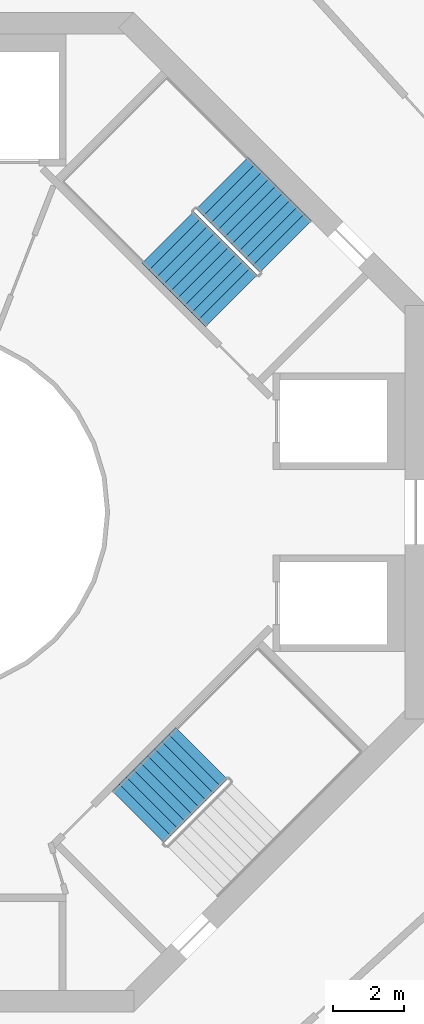
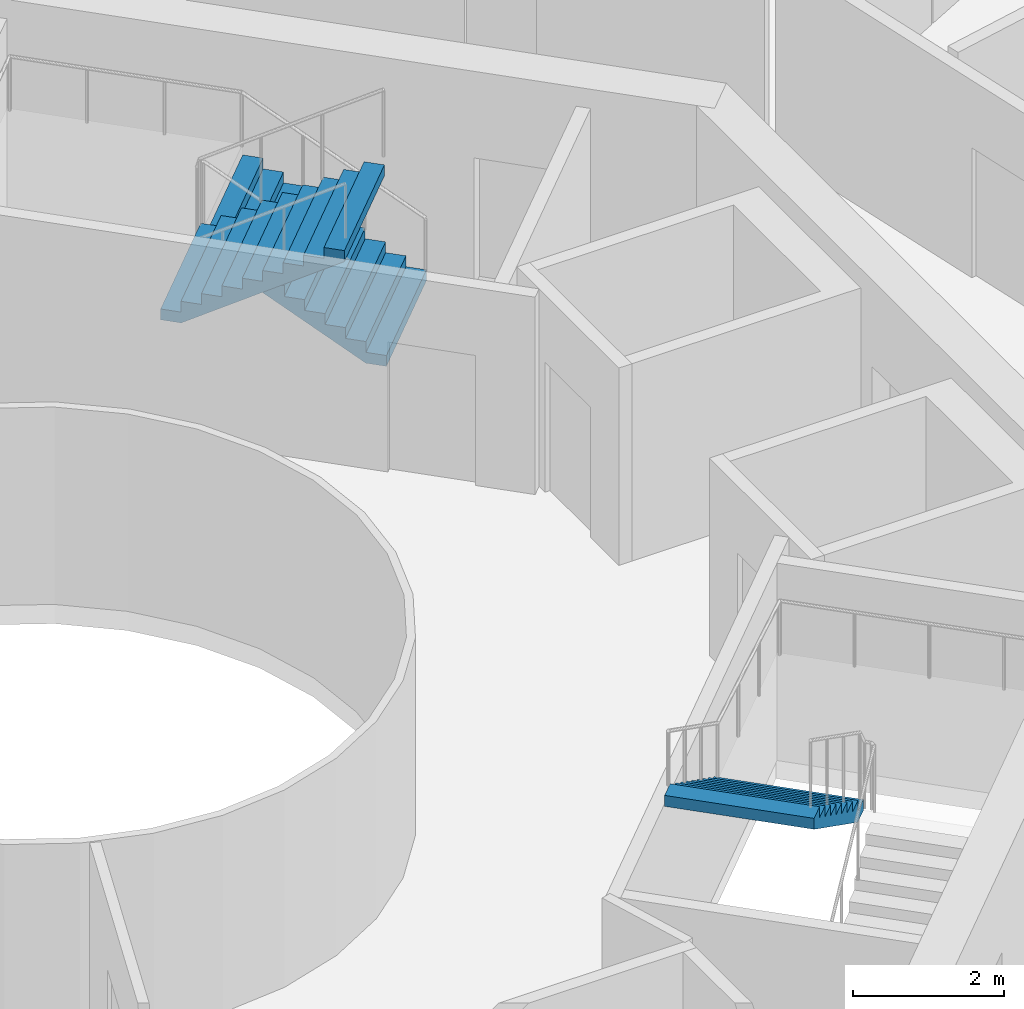
# One storey, part 22 of 23: 3 stair flights, 2 elements without a shape of their own.
"""IFC4 building model written with IfcOpenShell, lengths in metres."""

from ifc_helpers import new_model, si_unit, direction, frame, origin, place, context, subcontext, project, spatial, triangles, material, type_object, element, aggregate, save


model = new_model("IFC4")

# Units and contexts
model_context = context("Model", 3, precision=1e-05, world=origin(), true_north=direction((0.0, 1.0)))
body_context = subcontext(model_context, "Body", "Model", "MODEL_VIEW")
ifc_project = project(units=[si_unit("LENGTHUNIT", "METRE"), si_unit("AREAUNIT", "SQUARE_METRE"), si_unit("VOLUMEUNIT", "CUBIC_METRE"), si_unit("PLANEANGLEUNIT", "RADIAN"), si_unit("MASSUNIT", "GRAM", prefix="KILO")], contexts=[model_context])

# Site, building, storey
site_placement = place(None, origin())
site = spatial("IfcSite", under=ifc_project, at=site_placement, CompositionType="ELEMENT")
building_placement = place(site_placement, origin())
building = spatial("IfcBuilding", under=site, at=building_placement, Name="Verdalira Terraces Hotel", CompositionType="ELEMENT")
storey_placement = place(building_placement, frame((0.0, 0.0, 205.5)))
storey = spatial("IfcBuildingStorey", under=building, at=storey_placement, Name="L50", CompositionType="ELEMENT", Elevation=205.5)

# Stair, stair flights
ifc_material_1 = material(Name="Concrete C40", Category="concrete")
stair_type = type_object("IfcStairType", Name="Core stair 20 risers 2050 mm wide", PredefinedType="HALF_TURN_STAIR", material=ifc_material_1)
stair_1_placement = place(storey_placement, origin())
stair_1 = element("IfcStair", 1, at=stair_1_placement, inside=storey, type_object=stair_type, Name="L50 Exit stair ST1", PredefinedType="HALF_TURN_STAIR")
ifc_material_2 = material(Name="Concrete C40", Category="concrete")
stair_flight_type = type_object("IfcStairFlightType", Name="Core stair flight 20 risers 2050 mm wide", PredefinedType="STRAIGHT", material=ifc_material_2)
stair_flight_1_placement = place(storey_placement, frame((10.058594, 7.442383, 0.0), z_axis=(0.0, 0.0, 1.0), x_axis=(-0.707106781, 0.707106781, 0.0)))
stair_flight_1 = element("IfcStairFlight", 2, at=stair_flight_1_placement, type_object=stair_flight_type, Name="ST1 flight 1", NumberOfRisers=10, NumberOfTreads=9, PredefinedType="STRAIGHT", RiserHeight=0.175, TreadLength=0.28, context=body_context, shape_type="Tessellation", body=[
    triangles([(0.0, 1.025024, 0.0), (0.282715, 1.025024, 0.0), (2.52002, 1.025024, 1.398193), (0.0, -1.025024, 0.0), (0.282715, -1.025024, 0.0), (2.52002, -1.025024, 1.398193), (2.52002, 1.025024, 1.574951), (2.23999, 1.025024, 1.574951), (2.52002, -1.025024, 1.574951), (2.23999, -1.025024, 1.574951), (2.23999, 1.025024, 1.399902), (2.23999, -1.025024, 1.399902), (1.959961, 1.025024, 1.399902), (1.959961, -1.025024, 1.399902), (1.959961, 1.025024, 1.225098), (1.959961, -1.025024, 1.225098), (1.679932, 1.025024, 1.225098), (1.679932, 1.025024, 1.050049), (1.679932, -1.025024, 1.225098), (1.679932, -1.025024, 1.050049), (1.399902, 1.025024, 1.050049), (1.399902, 1.025024, 0.875), (1.399902, -1.025024, 1.050049), (1.399902, -1.025024, 0.875), (1.120117, 1.025024, 0.875), (1.120117, 1.025024, 0.699951), (1.120117, -1.025024, 0.875), (1.120117, -1.025024, 0.699951), (0.840088, 1.025024, 0.699951), (0.840088, 1.025024, 0.524902), (0.840088, -1.025024, 0.699951), (0.840088, -1.025024, 0.524902), (0.560059, 1.025024, 0.524902), (0.560059, 1.025024, 0.350098), (0.560059, -1.025024, 0.524902), (0.560059, -1.025024, 0.350098), (0.280029, 1.025024, 0.350098), (0.280029, 1.025024, 0.175049), (0.280029, -1.025024, 0.350098), (0.280029, -1.025024, 0.175049), (0.0, 1.025024, 0.175049), (0.0, -1.025024, 0.175049), (0.0, -0.96096, 0.0), (0.0, -0.96096, 0.175049), (0.0, -0.896896, 0.0), (0.0, -0.896896, 0.175049), (0.0, -0.832832, 0.0), (0.0, -0.832832, 0.175049), (0.0, -0.768768, 0.0), (0.0, -0.768768, 0.175049), (0.0, -0.704704, 0.0), (0.0, -0.704704, 0.175049), (0.0, -0.64064, 0.0), (0.0, -0.64064, 0.175049), (0.0, -0.576576, 0.0), (0.0, -0.576576, 0.175049), (0.0, -0.512512, 0.0), (0.0, -0.512512, 0.175049), (0.0, -0.448448, 0.0), (0.0, -0.448448, 0.175049), (0.0, -0.384384, 0.0), (0.0, -0.384384, 0.175049), (0.0, -0.32032, 0.0), (0.0, -0.32032, 0.175049), (0.0, -0.256256, 0.0), (0.0, -0.256256, 0.175049), (0.0, -0.192192, 0.0), (0.0, -0.192192, 0.175049), (0.0, -0.128128, 0.0), (0.0, -0.128128, 0.175049), (0.0, -0.064064, 0.0), (0.0, -0.064064, 0.175049), (0.0, 0.0, 0.0), (0.0, 0.0, 0.175049), (0.0, 0.064064, 0.0), (0.0, 0.064064, 0.175049), (0.0, 0.128128, 0.0), (0.0, 0.128128, 0.175049), (0.0, 0.192192, 0.0), (0.0, 0.192192, 0.175049), (0.0, 0.256256, 0.0), (0.0, 0.256256, 0.175049), (0.0, 0.32032, 0.0), (0.0, 0.32032, 0.175049), (0.0, 0.384384, 0.0), (0.0, 0.384384, 0.175049), (0.0, 0.448448, 0.0), (0.0, 0.448448, 0.175049), (0.0, 0.512512, 0.0), (0.0, 0.512512, 0.175049), (0.0, 0.576576, 0.0), (0.0, 0.576576, 0.175049), (0.0, 0.64064, 0.0), (0.0, 0.64064, 0.175049), (0.0, 0.704704, 0.0), (0.0, 0.704704, 0.175049), (0.0, 0.768768, 0.0), (0.0, 0.768768, 0.175049), (0.0, 0.832832, 0.0), (0.0, 0.832832, 0.175049), (0.0, 0.896896, 0.0), (0.0, 0.896896, 0.175049), (0.0, 0.96096, 0.0), (0.0, 0.96096, 0.175049), (2.52002, -0.96096, 1.574951), (2.52002, -0.896896, 1.574951), (2.52002, -0.832832, 1.574951), (2.52002, -0.768768, 1.574951), (2.52002, -0.704704, 1.574951), (2.52002, -0.64064, 1.574951), (2.52002, -0.576576, 1.574951), (2.52002, -0.512512, 1.574951), (2.52002, -0.448448, 1.574951), (2.52002, -0.384384, 1.574951), (2.52002, -0.32032, 1.574951), (2.52002, -0.256256, 1.574951), (2.52002, -0.192192, 1.574951), (2.52002, -0.128128, 1.574951), (2.52002, -0.064064, 1.574951), (2.52002, 0.0, 1.574951), (2.52002, 0.064064, 1.574951), (2.52002, 0.128128, 1.574951), (2.52002, 0.192192, 1.574951), (2.52002, 0.256256, 1.574951), (2.52002, 0.32032, 1.574951), (2.52002, 0.384384, 1.574951), (2.52002, 0.448448, 1.574951), (2.52002, 0.512512, 1.574951), (2.52002, 0.576576, 1.574951), (2.52002, 0.64064, 1.574951), (2.52002, 0.704704, 1.574951), (2.52002, 0.768768, 1.574951), (2.52002, 0.832832, 1.574951), (2.52002, 0.896896, 1.574951), (2.52002, 0.96096, 1.574951), (2.52002, -0.96096, 1.398193), (2.52002, -0.896896, 1.398193), (2.52002, -0.832832, 1.398193), (2.52002, -0.768768, 1.398193), (2.52002, -0.704704, 1.398193), (2.52002, -0.64064, 1.398193), (2.52002, -0.576576, 1.398193), (2.52002, -0.512512, 1.398193), (2.52002, -0.448448, 1.398193), (2.52002, -0.384384, 1.398193), (2.52002, -0.32032, 1.398193), (2.52002, -0.256256, 1.398193), (2.52002, -0.192192, 1.398193), (2.52002, -0.128128, 1.398193), (2.52002, -0.064064, 1.398193), (2.52002, 0.0, 1.398193), (2.52002, 0.064064, 1.398193), (2.52002, 0.128128, 1.398193), (2.52002, 0.192192, 1.398193), (2.52002, 0.256256, 1.398193), (2.52002, 0.32032, 1.398193), (2.52002, 0.384384, 1.398193), (2.52002, 0.448448, 1.398193), (2.52002, 0.512512, 1.398193), (2.52002, 0.576576, 1.398193), (2.52002, 0.64064, 1.398193), (2.52002, 0.704704, 1.398193), (2.52002, 0.768768, 1.398193), (2.52002, 0.832832, 1.398193), (2.52002, 0.896896, 1.398193), (2.52002, 0.96096, 1.398193)], [[1, 3, 2], [4, 5, 6], [3, 8, 7], [6, 9, 10], [3, 11, 8], [6, 10, 12], [3, 13, 11], [6, 12, 14], [3, 15, 13], [6, 14, 16], [15, 18, 17], [16, 19, 20], [3, 18, 15], [6, 16, 20], [18, 22, 21], [20, 23, 24], [3, 22, 18], [6, 20, 24], [22, 26, 25], [24, 27, 28], [3, 26, 22], [6, 24, 28], [26, 30, 29], [28, 31, 32], [3, 30, 26], [6, 28, 32], [1, 30, 3], [4, 6, 32], [30, 34, 33], [32, 35, 36], [34, 38, 37], [36, 39, 40], [30, 38, 34], [32, 36, 40], [1, 38, 30], [4, 32, 40], [38, 1, 41], [40, 42, 4], [4, 44, 43], [4, 42, 44], [43, 46, 45], [43, 44, 46], [45, 48, 47], [45, 46, 48], [47, 50, 49], [47, 48, 50], [49, 52, 51], [49, 50, 52], [51, 54, 53], [51, 52, 54], [53, 56, 55], [53, 54, 56], [55, 58, 57], [55, 56, 58], [57, 60, 59], [57, 58, 60], [59, 62, 61], [59, 60, 62], [61, 64, 63], [61, 62, 64], [63, 66, 65], [63, 64, 66], [65, 68, 67], [65, 66, 68], [67, 70, 69], [67, 68, 70], [69, 72, 71], [69, 70, 72], [71, 74, 73], [71, 72, 74], [73, 76, 75], [73, 74, 76], [75, 78, 77], [75, 76, 78], [77, 80, 79], [77, 78, 80], [79, 82, 81], [79, 80, 82], [81, 84, 83], [81, 82, 84], [83, 86, 85], [83, 84, 86], [85, 88, 87], [85, 86, 88], [87, 90, 89], [87, 88, 90], [89, 92, 91], [89, 90, 92], [91, 94, 93], [91, 92, 94], [93, 96, 95], [93, 94, 96], [95, 98, 97], [95, 96, 98], [97, 100, 99], [97, 98, 100], [99, 102, 101], [99, 100, 102], [101, 104, 103], [101, 102, 104], [103, 41, 1], [103, 104, 41], [42, 40, 44], [44, 40, 46], [46, 40, 48], [48, 40, 50], [50, 40, 52], [52, 40, 54], [54, 40, 56], [56, 40, 58], [58, 40, 60], [60, 40, 62], [62, 40, 64], [64, 40, 66], [66, 40, 68], [68, 40, 70], [70, 40, 72], [72, 40, 74], [74, 40, 76], [76, 40, 78], [78, 40, 80], [80, 40, 82], [82, 40, 84], [84, 40, 86], [86, 40, 88], [88, 40, 90], [90, 40, 92], [92, 40, 94], [94, 40, 96], [96, 40, 98], [98, 40, 100], [100, 40, 102], [102, 40, 104], [104, 40, 41], [41, 40, 38], [40, 37, 38], [40, 39, 37], [39, 34, 37], [39, 36, 34], [36, 33, 34], [36, 35, 33], [35, 30, 33], [35, 32, 30], [32, 29, 30], [32, 31, 29], [31, 26, 29], [31, 28, 26], [28, 25, 26], [28, 27, 25], [27, 22, 25], [27, 24, 22], [24, 21, 22], [24, 23, 21], [23, 18, 21], [23, 20, 18], [20, 17, 18], [20, 19, 17], [19, 15, 17], [19, 16, 15], [16, 13, 15], [16, 14, 13], [14, 11, 13], [14, 12, 11], [12, 8, 11], [12, 10, 8], [9, 105, 10], [105, 106, 10], [106, 107, 10], [107, 108, 10], [108, 109, 10], [109, 110, 10], [110, 111, 10], [111, 112, 10], [112, 113, 10], [113, 114, 10], [114, 115, 10], [115, 116, 10], [116, 117, 10], [117, 118, 10], [118, 119, 10], [119, 120, 10], [120, 121, 10], [121, 122, 10], [122, 123, 10], [123, 124, 10], [124, 125, 10], [125, 126, 10], [126, 127, 10], [127, 128, 10], [128, 129, 10], [129, 130, 10], [130, 131, 10], [131, 132, 10], [132, 133, 10], [133, 134, 10], [134, 135, 10], [135, 7, 10], [7, 8, 10], [9, 136, 105], [9, 6, 136], [105, 137, 106], [105, 136, 137], [106, 138, 107], [106, 137, 138], [107, 139, 108], [107, 138, 139], [108, 140, 109], [108, 139, 140], [109, 141, 110], [109, 140, 141], [110, 142, 111], [110, 141, 142], [111, 143, 112], [111, 142, 143], [112, 144, 113], [112, 143, 144], [113, 145, 114], [113, 144, 145], [114, 146, 115], [114, 145, 146], [115, 147, 116], [115, 146, 147], [116, 148, 117], [116, 147, 148], [117, 149, 118], [117, 148, 149], [118, 150, 119], [118, 149, 150], [119, 151, 120], [119, 150, 151], [120, 152, 121], [120, 151, 152], [121, 153, 122], [121, 152, 153], [122, 154, 123], [122, 153, 154], [123, 155, 124], [123, 154, 155], [124, 156, 125], [124, 155, 156], [125, 157, 126], [125, 156, 157], [126, 158, 127], [126, 157, 158], [127, 159, 128], [127, 158, 159], [128, 160, 129], [128, 159, 160], [129, 161, 130], [129, 160, 161], [130, 162, 131], [130, 161, 162], [131, 163, 132], [131, 162, 163], [132, 164, 133], [132, 163, 164], [133, 165, 134], [133, 164, 165], [134, 166, 135], [134, 165, 166], [135, 3, 7], [135, 166, 3], [6, 5, 136], [136, 5, 137], [137, 5, 138], [138, 5, 139], [139, 5, 140], [140, 5, 141], [141, 5, 142], [142, 5, 143], [143, 5, 144], [144, 5, 145], [145, 5, 146], [146, 5, 147], [147, 5, 148], [148, 5, 149], [149, 5, 150], [150, 5, 151], [151, 5, 152], [152, 5, 153], [153, 5, 154], [154, 5, 155], [155, 5, 156], [156, 5, 157], [157, 5, 158], [158, 5, 159], [159, 5, 160], [160, 5, 161], [161, 5, 162], [162, 5, 163], [163, 5, 164], [164, 5, 165], [165, 5, 166], [166, 5, 3], [3, 5, 2], [4, 43, 5], [43, 45, 5], [45, 47, 5], [47, 49, 5], [49, 51, 5], [51, 53, 5], [53, 55, 5], [55, 57, 5], [57, 59, 5], [59, 61, 5], [61, 63, 5], [63, 65, 5], [65, 67, 5], [67, 69, 5], [69, 71, 5], [71, 73, 5], [73, 75, 5], [75, 77, 5], [77, 79, 5], [79, 81, 5], [81, 83, 5], [83, 85, 5], [85, 87, 5], [87, 89, 5], [89, 91, 5], [91, 93, 5], [93, 95, 5], [95, 97, 5], [97, 99, 5], [99, 101, 5], [101, 103, 5], [103, 1, 5], [1, 2, 5]], closed=True),
])
stair_flight_2_placement = place(storey_placement, frame((6.756348, 7.703857, 1.75), z_axis=(0.0, 0.0, 1.0), x_axis=(0.707106781, -0.707106781, 0.0)))
stair_flight_2 = element("IfcStairFlight", 3, at=stair_flight_2_placement, type_object=stair_flight_type, Name="ST1 flight 2", NumberOfRisers=10, NumberOfTreads=9, PredefinedType="STRAIGHT", RiserHeight=0.175, TreadLength=0.28, context=body_context, shape_type="Tessellation", body=[
    triangles([(0.0, 1.025024, 0.0), (0.282715, 1.025024, 0.0), (2.52002, 1.025024, 1.398193), (0.0, -1.025024, 0.0), (0.282715, -1.025024, 0.0), (2.52002, -1.025024, 1.398193), (2.52002, 1.025024, 1.574951), (2.23999, 1.025024, 1.574951), (2.52002, -1.025024, 1.574951), (2.23999, -1.025024, 1.574951), (2.23999, 1.025024, 1.399902), (2.23999, -1.025024, 1.399902), (1.959961, 1.025024, 1.399902), (1.959961, -1.025024, 1.399902), (1.959961, 1.025024, 1.225098), (1.959961, -1.025024, 1.225098), (1.679932, 1.025024, 1.225098), (1.679932, 1.025024, 1.050049), (1.679932, -1.025024, 1.225098), (1.679932, -1.025024, 1.050049), (1.399902, 1.025024, 1.050049), (1.399902, 1.025024, 0.875), (1.399902, -1.025024, 1.050049), (1.399902, -1.025024, 0.875), (1.120117, 1.025024, 0.875), (1.120117, 1.025024, 0.699951), (1.120117, -1.025024, 0.875), (1.120117, -1.025024, 0.699951), (0.840088, 1.025024, 0.699951), (0.840088, 1.025024, 0.524902), (0.840088, -1.025024, 0.699951), (0.840088, -1.025024, 0.524902), (0.560059, 1.025024, 0.524902), (0.560059, 1.025024, 0.350098), (0.560059, -1.025024, 0.524902), (0.560059, -1.025024, 0.350098), (0.280029, 1.025024, 0.350098), (0.280029, 1.025024, 0.175049), (0.280029, -1.025024, 0.350098), (0.280029, -1.025024, 0.175049), (0.0, 1.025024, 0.175049), (0.0, -1.025024, 0.175049), (0.0, -0.96096, 0.0), (0.0, -0.96096, 0.175049), (0.0, -0.896896, 0.0), (0.0, -0.896896, 0.175049), (0.0, -0.832832, 0.0), (0.0, -0.832832, 0.175049), (0.0, -0.768768, 0.0), (0.0, -0.768768, 0.175049), (0.0, -0.704704, 0.0), (0.0, -0.704704, 0.175049), (0.0, -0.64064, 0.0), (0.0, -0.64064, 0.175049), (0.0, -0.576576, 0.0), (0.0, -0.576576, 0.175049), (0.0, -0.512512, 0.0), (0.0, -0.512512, 0.175049), (0.0, -0.448448, 0.0), (0.0, -0.448448, 0.175049), (0.0, -0.384384, 0.0), (0.0, -0.384384, 0.175049), (0.0, -0.32032, 0.0), (0.0, -0.32032, 0.175049), (0.0, -0.256256, 0.0), (0.0, -0.256256, 0.175049), (0.0, -0.192192, 0.0), (0.0, -0.192192, 0.175049), (0.0, -0.128128, 0.0), (0.0, -0.128128, 0.175049), (0.0, -0.064064, 0.0), (0.0, -0.064064, 0.175049), (0.0, 0.0, 0.0), (0.0, 0.0, 0.175049), (0.0, 0.064064, 0.0), (0.0, 0.064064, 0.175049), (0.0, 0.128128, 0.0), (0.0, 0.128128, 0.175049), (0.0, 0.192192, 0.0), (0.0, 0.192192, 0.175049), (0.0, 0.256256, 0.0), (0.0, 0.256256, 0.175049), (0.0, 0.32032, 0.0), (0.0, 0.32032, 0.175049), (0.0, 0.384384, 0.0), (0.0, 0.384384, 0.175049), (0.0, 0.448448, 0.0), (0.0, 0.448448, 0.175049), (0.0, 0.512512, 0.0), (0.0, 0.512512, 0.175049), (0.0, 0.576576, 0.0), (0.0, 0.576576, 0.175049), (0.0, 0.64064, 0.0), (0.0, 0.64064, 0.175049), (0.0, 0.704704, 0.0), (0.0, 0.704704, 0.175049), (0.0, 0.768768, 0.0), (0.0, 0.768768, 0.175049), (0.0, 0.832832, 0.0), (0.0, 0.832832, 0.175049), (0.0, 0.896896, 0.0), (0.0, 0.896896, 0.175049), (0.0, 0.96096, 0.0), (0.0, 0.96096, 0.175049), (2.52002, -0.96096, 1.574951), (2.52002, -0.896896, 1.574951), (2.52002, -0.832832, 1.574951), (2.52002, -0.768768, 1.574951), (2.52002, -0.704704, 1.574951), (2.52002, -0.64064, 1.574951), (2.52002, -0.576576, 1.574951), (2.52002, -0.512512, 1.574951), (2.52002, -0.448448, 1.574951), (2.52002, -0.384384, 1.574951), (2.52002, -0.32032, 1.574951), (2.52002, -0.256256, 1.574951), (2.52002, -0.192192, 1.574951), (2.52002, -0.128128, 1.574951), (2.52002, -0.064064, 1.574951), (2.52002, 0.0, 1.574951), (2.52002, 0.064064, 1.574951), (2.52002, 0.128128, 1.574951), (2.52002, 0.192192, 1.574951), (2.52002, 0.256256, 1.574951), (2.52002, 0.32032, 1.574951), (2.52002, 0.384384, 1.574951), (2.52002, 0.448448, 1.574951), (2.52002, 0.512512, 1.574951), (2.52002, 0.576576, 1.574951), (2.52002, 0.64064, 1.574951), (2.52002, 0.704704, 1.574951), (2.52002, 0.768768, 1.574951), (2.52002, 0.832832, 1.574951), (2.52002, 0.896896, 1.574951), (2.52002, 0.96096, 1.574951), (2.52002, -0.96096, 1.398193), (2.52002, -0.896896, 1.398193), (2.52002, -0.832832, 1.398193), (2.52002, -0.768768, 1.398193), (2.52002, -0.704704, 1.398193), (2.52002, -0.64064, 1.398193), (2.52002, -0.576576, 1.398193), (2.52002, -0.512512, 1.398193), (2.52002, -0.448448, 1.398193), (2.52002, -0.384384, 1.398193), (2.52002, -0.32032, 1.398193), (2.52002, -0.256256, 1.398193), (2.52002, -0.192192, 1.398193), (2.52002, -0.128128, 1.398193), (2.52002, -0.064064, 1.398193), (2.52002, 0.0, 1.398193), (2.52002, 0.064064, 1.398193), (2.52002, 0.128128, 1.398193), (2.52002, 0.192192, 1.398193), (2.52002, 0.256256, 1.398193), (2.52002, 0.32032, 1.398193), (2.52002, 0.384384, 1.398193), (2.52002, 0.448448, 1.398193), (2.52002, 0.512512, 1.398193), (2.52002, 0.576576, 1.398193), (2.52002, 0.64064, 1.398193), (2.52002, 0.704704, 1.398193), (2.52002, 0.768768, 1.398193), (2.52002, 0.832832, 1.398193), (2.52002, 0.896896, 1.398193), (2.52002, 0.96096, 1.398193)], [[1, 3, 2], [4, 5, 6], [3, 8, 7], [6, 9, 10], [3, 11, 8], [6, 10, 12], [3, 13, 11], [6, 12, 14], [3, 15, 13], [6, 14, 16], [15, 18, 17], [16, 19, 20], [3, 18, 15], [6, 16, 20], [18, 22, 21], [20, 23, 24], [3, 22, 18], [6, 20, 24], [22, 26, 25], [24, 27, 28], [3, 26, 22], [6, 24, 28], [26, 30, 29], [28, 31, 32], [3, 30, 26], [6, 28, 32], [1, 30, 3], [4, 6, 32], [30, 34, 33], [32, 35, 36], [34, 38, 37], [36, 39, 40], [30, 38, 34], [32, 36, 40], [1, 38, 30], [4, 32, 40], [38, 1, 41], [40, 42, 4], [4, 44, 43], [4, 42, 44], [43, 46, 45], [43, 44, 46], [45, 48, 47], [45, 46, 48], [47, 50, 49], [47, 48, 50], [49, 52, 51], [49, 50, 52], [51, 54, 53], [51, 52, 54], [53, 56, 55], [53, 54, 56], [55, 58, 57], [55, 56, 58], [57, 60, 59], [57, 58, 60], [59, 62, 61], [59, 60, 62], [61, 64, 63], [61, 62, 64], [63, 66, 65], [63, 64, 66], [65, 68, 67], [65, 66, 68], [67, 70, 69], [67, 68, 70], [69, 72, 71], [69, 70, 72], [71, 74, 73], [71, 72, 74], [73, 76, 75], [73, 74, 76], [75, 78, 77], [75, 76, 78], [77, 80, 79], [77, 78, 80], [79, 82, 81], [79, 80, 82], [81, 84, 83], [81, 82, 84], [83, 86, 85], [83, 84, 86], [85, 88, 87], [85, 86, 88], [87, 90, 89], [87, 88, 90], [89, 92, 91], [89, 90, 92], [91, 94, 93], [91, 92, 94], [93, 96, 95], [93, 94, 96], [95, 98, 97], [95, 96, 98], [97, 100, 99], [97, 98, 100], [99, 102, 101], [99, 100, 102], [101, 104, 103], [101, 102, 104], [103, 41, 1], [103, 104, 41], [42, 40, 44], [44, 40, 46], [46, 40, 48], [48, 40, 50], [50, 40, 52], [52, 40, 54], [54, 40, 56], [56, 40, 58], [58, 40, 60], [60, 40, 62], [62, 40, 64], [64, 40, 66], [66, 40, 68], [68, 40, 70], [70, 40, 72], [72, 40, 74], [74, 40, 76], [76, 40, 78], [78, 40, 80], [80, 40, 82], [82, 40, 84], [84, 40, 86], [86, 40, 88], [88, 40, 90], [90, 40, 92], [92, 40, 94], [94, 40, 96], [96, 40, 98], [98, 40, 100], [100, 40, 102], [102, 40, 104], [104, 40, 41], [41, 40, 38], [40, 37, 38], [40, 39, 37], [39, 34, 37], [39, 36, 34], [36, 33, 34], [36, 35, 33], [35, 30, 33], [35, 32, 30], [32, 29, 30], [32, 31, 29], [31, 26, 29], [31, 28, 26], [28, 25, 26], [28, 27, 25], [27, 22, 25], [27, 24, 22], [24, 21, 22], [24, 23, 21], [23, 18, 21], [23, 20, 18], [20, 17, 18], [20, 19, 17], [19, 15, 17], [19, 16, 15], [16, 13, 15], [16, 14, 13], [14, 11, 13], [14, 12, 11], [12, 8, 11], [12, 10, 8], [9, 105, 10], [105, 106, 10], [106, 107, 10], [107, 108, 10], [108, 109, 10], [109, 110, 10], [110, 111, 10], [111, 112, 10], [112, 113, 10], [113, 114, 10], [114, 115, 10], [115, 116, 10], [116, 117, 10], [117, 118, 10], [118, 119, 10], [119, 120, 10], [120, 121, 10], [121, 122, 10], [122, 123, 10], [123, 124, 10], [124, 125, 10], [125, 126, 10], [126, 127, 10], [127, 128, 10], [128, 129, 10], [129, 130, 10], [130, 131, 10], [131, 132, 10], [132, 133, 10], [133, 134, 10], [134, 135, 10], [135, 7, 10], [7, 8, 10], [9, 136, 105], [9, 6, 136], [105, 137, 106], [105, 136, 137], [106, 138, 107], [106, 137, 138], [107, 139, 108], [107, 138, 139], [108, 140, 109], [108, 139, 140], [109, 141, 110], [109, 140, 141], [110, 142, 111], [110, 141, 142], [111, 143, 112], [111, 142, 143], [112, 144, 113], [112, 143, 144], [113, 145, 114], [113, 144, 145], [114, 146, 115], [114, 145, 146], [115, 147, 116], [115, 146, 147], [116, 148, 117], [116, 147, 148], [117, 149, 118], [117, 148, 149], [118, 150, 119], [118, 149, 150], [119, 151, 120], [119, 150, 151], [120, 152, 121], [120, 151, 152], [121, 153, 122], [121, 152, 153], [122, 154, 123], [122, 153, 154], [123, 155, 124], [123, 154, 155], [124, 156, 125], [124, 155, 156], [125, 157, 126], [125, 156, 157], [126, 158, 127], [126, 157, 158], [127, 159, 128], [127, 158, 159], [128, 160, 129], [128, 159, 160], [129, 161, 130], [129, 160, 161], [130, 162, 131], [130, 161, 162], [131, 163, 132], [131, 162, 163], [132, 164, 133], [132, 163, 164], [133, 165, 134], [133, 164, 165], [134, 166, 135], [134, 165, 166], [135, 3, 7], [135, 166, 3], [6, 5, 136], [136, 5, 137], [137, 5, 138], [138, 5, 139], [139, 5, 140], [140, 5, 141], [141, 5, 142], [142, 5, 143], [143, 5, 144], [144, 5, 145], [145, 5, 146], [146, 5, 147], [147, 5, 148], [148, 5, 149], [149, 5, 150], [150, 5, 151], [151, 5, 152], [152, 5, 153], [153, 5, 154], [154, 5, 155], [155, 5, 156], [156, 5, 157], [157, 5, 158], [158, 5, 159], [159, 5, 160], [160, 5, 161], [161, 5, 162], [162, 5, 163], [163, 5, 164], [164, 5, 165], [165, 5, 166], [166, 5, 3], [3, 5, 2], [4, 43, 5], [43, 45, 5], [45, 47, 5], [47, 49, 5], [49, 51, 5], [51, 53, 5], [53, 55, 5], [55, 57, 5], [57, 59, 5], [59, 61, 5], [61, 63, 5], [63, 65, 5], [65, 67, 5], [67, 69, 5], [69, 71, 5], [71, 73, 5], [73, 75, 5], [75, 77, 5], [77, 79, 5], [79, 81, 5], [81, 83, 5], [83, 85, 5], [85, 87, 5], [87, 89, 5], [89, 91, 5], [91, 93, 5], [93, 95, 5], [95, 97, 5], [97, 99, 5], [99, 101, 5], [101, 103, 5], [103, 1, 5], [1, 2, 5]], closed=True),
])
aggregate(stair_1, [stair_flight_1, stair_flight_2])

# Stair, stair flight
stair_2_placement = place(storey_placement, origin())
stair_2 = element("IfcStair", 4, at=stair_2_placement, inside=storey, type_object=stair_type, Name="L50 Exit stair ST3", PredefinedType="HALF_TURN_STAIR")
stair_flight_3_placement = place(storey_placement, frame((7.703857, -6.756348, 1.75), z_axis=(0.0, 0.0, 1.0), x_axis=(-0.707106781, -0.707106781, 0.0)))
stair_flight_3 = element("IfcStairFlight", 5, at=stair_flight_3_placement, type_object=stair_flight_type, Name="ST3 flight 2", NumberOfRisers=10, NumberOfTreads=9, PredefinedType="STRAIGHT", RiserHeight=0.175, TreadLength=0.28, context=body_context, shape_type="Tessellation", body=[
    triangles([(0.0, 1.025024, 0.0), (0.282715, 1.025024, 0.0), (2.52002, 1.025024, 1.398193), (0.0, -1.025024, 0.0), (0.282715, -1.025024, 0.0), (2.52002, -1.025024, 1.398193), (2.52002, 1.025024, 1.574951), (2.23999, 1.025024, 1.574951), (2.52002, -1.025024, 1.574951), (2.23999, -1.025024, 1.574951), (2.23999, 1.025024, 1.399902), (2.23999, -1.025024, 1.399902), (1.959961, 1.025024, 1.399902), (1.959961, -1.025024, 1.399902), (1.959961, 1.025024, 1.225098), (1.959961, -1.025024, 1.225098), (1.679932, 1.025024, 1.225098), (1.679932, 1.025024, 1.050049), (1.679932, -1.025024, 1.225098), (1.679932, -1.025024, 1.050049), (1.399902, 1.025024, 1.050049), (1.399902, 1.025024, 0.875), (1.399902, -1.025024, 1.050049), (1.399902, -1.025024, 0.875), (1.120117, 1.025024, 0.875), (1.120117, 1.025024, 0.699951), (1.120117, -1.025024, 0.875), (1.120117, -1.025024, 0.699951), (0.840088, 1.025024, 0.699951), (0.840088, 1.025024, 0.524902), (0.840088, -1.025024, 0.699951), (0.840088, -1.025024, 0.524902), (0.560059, 1.025024, 0.524902), (0.560059, 1.025024, 0.350098), (0.560059, -1.025024, 0.524902), (0.560059, -1.025024, 0.350098), (0.280029, 1.025024, 0.350098), (0.280029, 1.025024, 0.175049), (0.280029, -1.025024, 0.350098), (0.280029, -1.025024, 0.175049), (0.0, 1.025024, 0.175049), (0.0, -1.025024, 0.175049), (0.0, -0.96096, 0.0), (0.0, -0.96096, 0.175049), (0.0, -0.896896, 0.0), (0.0, -0.896896, 0.175049), (0.0, -0.832832, 0.0), (0.0, -0.832832, 0.175049), (0.0, -0.768768, 0.0), (0.0, -0.768768, 0.175049), (0.0, -0.704704, 0.0), (0.0, -0.704704, 0.175049), (0.0, -0.64064, 0.0), (0.0, -0.64064, 0.175049), (0.0, -0.576576, 0.0), (0.0, -0.576576, 0.175049), (0.0, -0.512512, 0.0), (0.0, -0.512512, 0.175049), (0.0, -0.448448, 0.0), (0.0, -0.448448, 0.175049), (0.0, -0.384384, 0.0), (0.0, -0.384384, 0.175049), (0.0, -0.32032, 0.0), (0.0, -0.32032, 0.175049), (0.0, -0.256256, 0.0), (0.0, -0.256256, 0.175049), (0.0, -0.192192, 0.0), (0.0, -0.192192, 0.175049), (0.0, -0.128128, 0.0), (0.0, -0.128128, 0.175049), (0.0, -0.064064, 0.0), (0.0, -0.064064, 0.175049), (0.0, 0.0, 0.0), (0.0, 0.0, 0.175049), (0.0, 0.064064, 0.0), (0.0, 0.064064, 0.175049), (0.0, 0.128128, 0.0), (0.0, 0.128128, 0.175049), (0.0, 0.192192, 0.0), (0.0, 0.192192, 0.175049), (0.0, 0.256256, 0.0), (0.0, 0.256256, 0.175049), (0.0, 0.32032, 0.0), (0.0, 0.32032, 0.175049), (0.0, 0.384384, 0.0), (0.0, 0.384384, 0.175049), (0.0, 0.448448, 0.0), (0.0, 0.448448, 0.175049), (0.0, 0.512512, 0.0), (0.0, 0.512512, 0.175049), (0.0, 0.576576, 0.0), (0.0, 0.576576, 0.175049), (0.0, 0.64064, 0.0), (0.0, 0.64064, 0.175049), (0.0, 0.704704, 0.0), (0.0, 0.704704, 0.175049), (0.0, 0.768768, 0.0), (0.0, 0.768768, 0.175049), (0.0, 0.832832, 0.0), (0.0, 0.832832, 0.175049), (0.0, 0.896896, 0.0), (0.0, 0.896896, 0.175049), (0.0, 0.96096, 0.0), (0.0, 0.96096, 0.175049), (2.52002, -0.96096, 1.574951), (2.52002, -0.896896, 1.574951), (2.52002, -0.832832, 1.574951), (2.52002, -0.768768, 1.574951), (2.52002, -0.704704, 1.574951), (2.52002, -0.64064, 1.574951), (2.52002, -0.576576, 1.574951), (2.52002, -0.512512, 1.574951), (2.52002, -0.448448, 1.574951), (2.52002, -0.384384, 1.574951), (2.52002, -0.32032, 1.574951), (2.52002, -0.256256, 1.574951), (2.52002, -0.192192, 1.574951), (2.52002, -0.128128, 1.574951), (2.52002, -0.064064, 1.574951), (2.52002, 0.0, 1.574951), (2.52002, 0.064064, 1.574951), (2.52002, 0.128128, 1.574951), (2.52002, 0.192192, 1.574951), (2.52002, 0.256256, 1.574951), (2.52002, 0.32032, 1.574951), (2.52002, 0.384384, 1.574951), (2.52002, 0.448448, 1.574951), (2.52002, 0.512512, 1.574951), (2.52002, 0.576576, 1.574951), (2.52002, 0.64064, 1.574951), (2.52002, 0.704704, 1.574951), (2.52002, 0.768768, 1.574951), (2.52002, 0.832832, 1.574951), (2.52002, 0.896896, 1.574951), (2.52002, 0.96096, 1.574951), (2.52002, -0.96096, 1.398193), (2.52002, -0.896896, 1.398193), (2.52002, -0.832832, 1.398193), (2.52002, -0.768768, 1.398193), (2.52002, -0.704704, 1.398193), (2.52002, -0.64064, 1.398193), (2.52002, -0.576576, 1.398193), (2.52002, -0.512512, 1.398193), (2.52002, -0.448448, 1.398193), (2.52002, -0.384384, 1.398193), (2.52002, -0.32032, 1.398193), (2.52002, -0.256256, 1.398193), (2.52002, -0.192192, 1.398193), (2.52002, -0.128128, 1.398193), (2.52002, -0.064064, 1.398193), (2.52002, 0.0, 1.398193), (2.52002, 0.064064, 1.398193), (2.52002, 0.128128, 1.398193), (2.52002, 0.192192, 1.398193), (2.52002, 0.256256, 1.398193), (2.52002, 0.32032, 1.398193), (2.52002, 0.384384, 1.398193), (2.52002, 0.448448, 1.398193), (2.52002, 0.512512, 1.398193), (2.52002, 0.576576, 1.398193), (2.52002, 0.64064, 1.398193), (2.52002, 0.704704, 1.398193), (2.52002, 0.768768, 1.398193), (2.52002, 0.832832, 1.398193), (2.52002, 0.896896, 1.398193), (2.52002, 0.96096, 1.398193)], [[1, 3, 2], [4, 5, 6], [3, 8, 7], [6, 9, 10], [3, 11, 8], [6, 10, 12], [3, 13, 11], [6, 12, 14], [3, 15, 13], [6, 14, 16], [15, 18, 17], [16, 19, 20], [3, 18, 15], [6, 16, 20], [18, 22, 21], [20, 23, 24], [3, 22, 18], [6, 20, 24], [22, 26, 25], [24, 27, 28], [3, 26, 22], [6, 24, 28], [26, 30, 29], [28, 31, 32], [3, 30, 26], [6, 28, 32], [1, 30, 3], [4, 6, 32], [30, 34, 33], [32, 35, 36], [34, 38, 37], [36, 39, 40], [30, 38, 34], [32, 36, 40], [1, 38, 30], [4, 32, 40], [38, 1, 41], [40, 42, 4], [4, 44, 43], [4, 42, 44], [43, 46, 45], [43, 44, 46], [45, 48, 47], [45, 46, 48], [47, 50, 49], [47, 48, 50], [49, 52, 51], [49, 50, 52], [51, 54, 53], [51, 52, 54], [53, 56, 55], [53, 54, 56], [55, 58, 57], [55, 56, 58], [57, 60, 59], [57, 58, 60], [59, 62, 61], [59, 60, 62], [61, 64, 63], [61, 62, 64], [63, 66, 65], [63, 64, 66], [65, 68, 67], [65, 66, 68], [67, 70, 69], [67, 68, 70], [69, 72, 71], [69, 70, 72], [71, 74, 73], [71, 72, 74], [73, 76, 75], [73, 74, 76], [75, 78, 77], [75, 76, 78], [77, 80, 79], [77, 78, 80], [79, 82, 81], [79, 80, 82], [81, 84, 83], [81, 82, 84], [83, 86, 85], [83, 84, 86], [85, 88, 87], [85, 86, 88], [87, 90, 89], [87, 88, 90], [89, 92, 91], [89, 90, 92], [91, 94, 93], [91, 92, 94], [93, 96, 95], [93, 94, 96], [95, 98, 97], [95, 96, 98], [97, 100, 99], [97, 98, 100], [99, 102, 101], [99, 100, 102], [101, 104, 103], [101, 102, 104], [103, 41, 1], [103, 104, 41], [42, 40, 44], [44, 40, 46], [46, 40, 48], [48, 40, 50], [50, 40, 52], [52, 40, 54], [54, 40, 56], [56, 40, 58], [58, 40, 60], [60, 40, 62], [62, 40, 64], [64, 40, 66], [66, 40, 68], [68, 40, 70], [70, 40, 72], [72, 40, 74], [74, 40, 76], [76, 40, 78], [78, 40, 80], [80, 40, 82], [82, 40, 84], [84, 40, 86], [86, 40, 88], [88, 40, 90], [90, 40, 92], [92, 40, 94], [94, 40, 96], [96, 40, 98], [98, 40, 100], [100, 40, 102], [102, 40, 104], [104, 40, 41], [41, 40, 38], [40, 37, 38], [40, 39, 37], [39, 34, 37], [39, 36, 34], [36, 33, 34], [36, 35, 33], [35, 30, 33], [35, 32, 30], [32, 29, 30], [32, 31, 29], [31, 26, 29], [31, 28, 26], [28, 25, 26], [28, 27, 25], [27, 22, 25], [27, 24, 22], [24, 21, 22], [24, 23, 21], [23, 18, 21], [23, 20, 18], [20, 17, 18], [20, 19, 17], [19, 15, 17], [19, 16, 15], [16, 13, 15], [16, 14, 13], [14, 11, 13], [14, 12, 11], [12, 8, 11], [12, 10, 8], [9, 105, 10], [105, 106, 10], [106, 107, 10], [107, 108, 10], [108, 109, 10], [109, 110, 10], [110, 111, 10], [111, 112, 10], [112, 113, 10], [113, 114, 10], [114, 115, 10], [115, 116, 10], [116, 117, 10], [117, 118, 10], [118, 119, 10], [119, 120, 10], [120, 121, 10], [121, 122, 10], [122, 123, 10], [123, 124, 10], [124, 125, 10], [125, 126, 10], [126, 127, 10], [127, 128, 10], [128, 129, 10], [129, 130, 10], [130, 131, 10], [131, 132, 10], [132, 133, 10], [133, 134, 10], [134, 135, 10], [135, 7, 10], [7, 8, 10], [9, 136, 105], [9, 6, 136], [105, 137, 106], [105, 136, 137], [106, 138, 107], [106, 137, 138], [107, 139, 108], [107, 138, 139], [108, 140, 109], [108, 139, 140], [109, 141, 110], [109, 140, 141], [110, 142, 111], [110, 141, 142], [111, 143, 112], [111, 142, 143], [112, 144, 113], [112, 143, 144], [113, 145, 114], [113, 144, 145], [114, 146, 115], [114, 145, 146], [115, 147, 116], [115, 146, 147], [116, 148, 117], [116, 147, 148], [117, 149, 118], [117, 148, 149], [118, 150, 119], [118, 149, 150], [119, 151, 120], [119, 150, 151], [120, 152, 121], [120, 151, 152], [121, 153, 122], [121, 152, 153], [122, 154, 123], [122, 153, 154], [123, 155, 124], [123, 154, 155], [124, 156, 125], [124, 155, 156], [125, 157, 126], [125, 156, 157], [126, 158, 127], [126, 157, 158], [127, 159, 128], [127, 158, 159], [128, 160, 129], [128, 159, 160], [129, 161, 130], [129, 160, 161], [130, 162, 131], [130, 161, 162], [131, 163, 132], [131, 162, 163], [132, 164, 133], [132, 163, 164], [133, 165, 134], [133, 164, 165], [134, 166, 135], [134, 165, 166], [135, 3, 7], [135, 166, 3], [6, 5, 136], [136, 5, 137], [137, 5, 138], [138, 5, 139], [139, 5, 140], [140, 5, 141], [141, 5, 142], [142, 5, 143], [143, 5, 144], [144, 5, 145], [145, 5, 146], [146, 5, 147], [147, 5, 148], [148, 5, 149], [149, 5, 150], [150, 5, 151], [151, 5, 152], [152, 5, 153], [153, 5, 154], [154, 5, 155], [155, 5, 156], [156, 5, 157], [157, 5, 158], [158, 5, 159], [159, 5, 160], [160, 5, 161], [161, 5, 162], [162, 5, 163], [163, 5, 164], [164, 5, 165], [165, 5, 166], [166, 5, 3], [3, 5, 2], [4, 43, 5], [43, 45, 5], [45, 47, 5], [47, 49, 5], [49, 51, 5], [51, 53, 5], [53, 55, 5], [55, 57, 5], [57, 59, 5], [59, 61, 5], [61, 63, 5], [63, 65, 5], [65, 67, 5], [67, 69, 5], [69, 71, 5], [71, 73, 5], [73, 75, 5], [75, 77, 5], [77, 79, 5], [79, 81, 5], [81, 83, 5], [83, 85, 5], [85, 87, 5], [87, 89, 5], [89, 91, 5], [91, 93, 5], [93, 95, 5], [95, 97, 5], [97, 99, 5], [99, 101, 5], [101, 103, 5], [103, 1, 5], [1, 2, 5]], closed=True),
])
aggregate(stair_2, [stair_flight_3])

save(model, "model.ifc")
